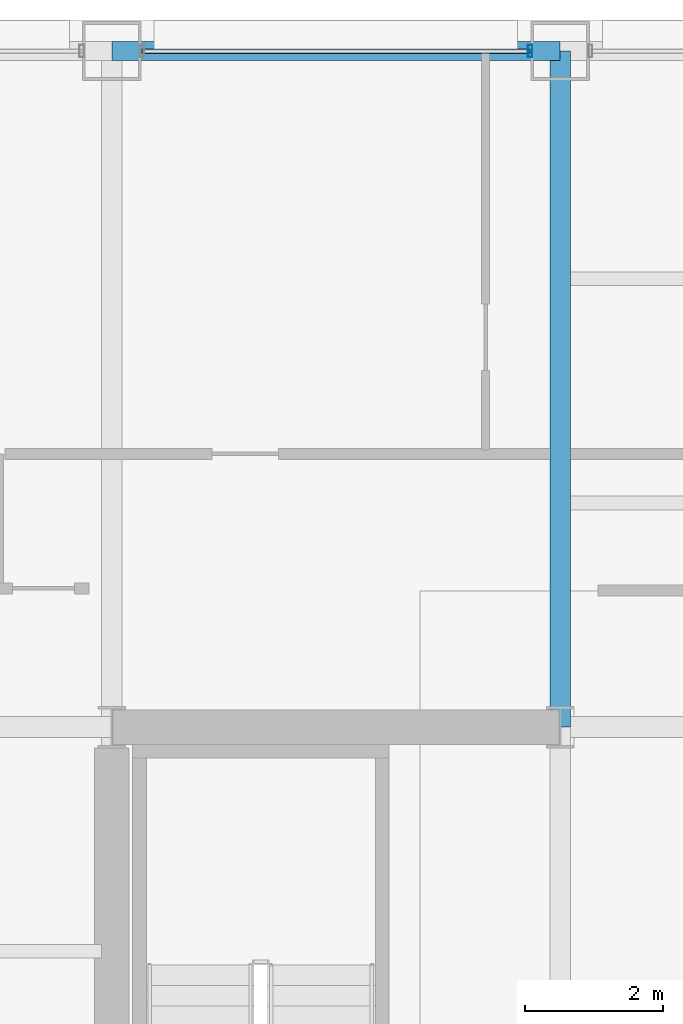
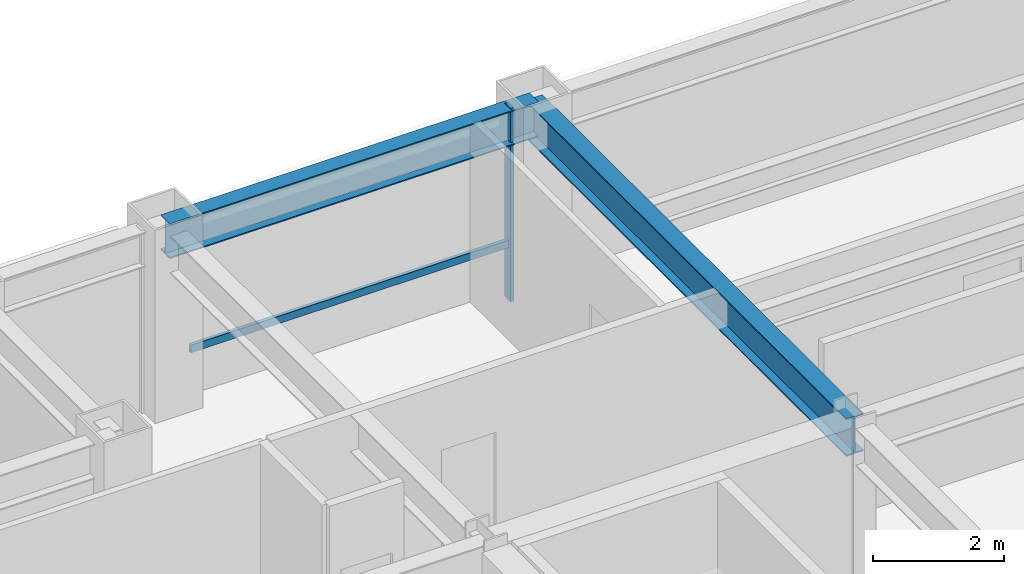
# One storey, part 19 of 31: 2 beams, 2 members, 1 element without a shape of its own.
"""IFC4 building model written with IfcOpenShell, lengths in metres."""

from ifc_helpers import new_model, si_unit, direction, frame, origin, origin_2d, place, context, subcontext, project, spatial, hollow_rectangle, i_section, extrude, material, layer, layer_set, material_profile, profile_set, type_object, element, aggregate, save


model = new_model("IFC4")

# Units and contexts
model_context = context("Model", 3, precision=1e-05, world=origin(), true_north=direction((0.0, 1.0)))
body_context = subcontext(model_context, "Body", "Model", "MODEL_VIEW")
ifc_project = project(units=[si_unit("LENGTHUNIT", "METRE"), si_unit("AREAUNIT", "SQUARE_METRE"), si_unit("VOLUMEUNIT", "CUBIC_METRE"), si_unit("PLANEANGLEUNIT", "RADIAN"), si_unit("MASSUNIT", "GRAM", prefix="KILO")], contexts=[model_context])

# Site, building, storey
site_placement = place(None, origin())
site = spatial("IfcSite", under=ifc_project, at=site_placement, CompositionType="ELEMENT")
building_placement = place(site_placement, origin())
building = spatial("IfcBuilding", under=site, at=building_placement, Name="Brelmoor Portico Tower", CompositionType="ELEMENT")
storey_placement = place(building_placement, frame((0.0, 0.0, 113.39990234375)))
storey = spatial("IfcBuildingStorey", under=building, at=storey_placement, Name="L29", CompositionType="ELEMENT", Elevation=113.39990234375)

# Beams
ifc_material_1 = material(Name="Steel Q355B", Category="steel")
ifc_material_profile_1 = material_profile(ifc_material_1, i_section(OverallWidth=0.300048828125, OverallDepth=0.699951171875, WebThickness=0.012939453125, FlangeThickness=0.02392578125, at=origin_2d()), Name="HN 700x300x13x24")
ifc_profile_set_1 = profile_set([ifc_material_profile_1], Name="Steel Q355B")
beam_type_1 = type_object("IfcBeamType", Name="BM-PG-700", PredefinedType="BEAM", material=ifc_profile_set_1)
beam_1_placement = place(storey_placement, frame((-8.050048828125, 9.75, 3.050048828125), z_axis=(0.0, 1.0, 0.0), x_axis=(-1.0, 0.0, 0.0)))
element("IfcBeam", 1, at=beam_1_placement, inside=storey, type_object=beam_type_1, Name="L29 Primary Floor Girder PG-07", PredefinedType="BEAM", context=body_context, shape_type="SweptSolid", body=[
    extrude(i_section(OverallWidth=0.300048828125, OverallDepth=0.699951171875, WebThickness=0.012939453125, FlangeThickness=0.02392578125, at=origin_2d()), origin(), (0.0, 0.0, 1.0), 9.800048828125),
])
ifc_material_profile_2 = material_profile(ifc_material_1, i_section(OverallWidth=0.280029296875, OverallDepth=0.64990234375, WebThickness=0.012939453125, FlangeThickness=0.02197265625, at=origin_2d()), Name="HN 650x280x13x22")
ifc_profile_set_2 = profile_set([ifc_material_profile_2], Name="Steel Q355B")
beam_type_2 = type_object("IfcBeamType", Name="BM-SP-650", PredefinedType="SPANDREL", material=ifc_profile_set_2)
beam_2_placement = place(storey_placement, frame((-14.550048828125, 19.550048828125, 3.0751953125), z_axis=(1.0, 0.0, 0.0), x_axis=(0.0, 1.0, 0.0)))
element("IfcBeam", 2, at=beam_2_placement, inside=storey, type_object=beam_type_2, Name="L29 Perimeter Spandrel Beam SP-11", PredefinedType="SPANDREL", context=body_context, shape_type="SweptSolid", body=[
    extrude(i_section(OverallWidth=0.280029296875, OverallDepth=0.64990234375, WebThickness=0.012939453125, FlangeThickness=0.02197265625, at=origin_2d()), origin(), (0.0, 0.0, 1.0), 6.5),
])

# Curtain wall, members
ifc_material_2 = material(Name="Anodised Aluminium Alloy 6063-T6", Category="aluminium")
ifc_layer = layer(ifc_material_2, 0.179931640625)
ifc_layer_set = layer_set([ifc_layer], Name="Anodised Aluminium Alloy 6063-T6")
curtain_wall_type = type_object("IfcCurtainWallType", Name="CW-TOWER-Z2", PredefinedType="NOTDEFINED", material=ifc_layer_set)
curtain_wall_placement = place(storey_placement, origin())
curtain_wall = element("IfcCurtainWall", 3, at=curtain_wall_placement, inside=storey, type_object=curtain_wall_type, Name="L29 Curtain Wall CW-L29-02-2", PredefinedType="NOTDEFINED")
ifc_material_profile_3 = material_profile(ifc_material_2, hollow_rectangle(XDim=0.06494140625, YDim=0.179931640625, WallThickness=0.00390625, at=origin_2d()), Name="ALU MULLION 65x180")
ifc_profile_set_3 = profile_set([ifc_material_profile_3], Name="Anodised Aluminium Alloy 6063-T6")
member_type_1 = type_object("IfcMemberType", Name="MB-CW-MULL-180", PredefinedType="MULLION", material=ifc_profile_set_3)
member_1_placement = place(storey_placement, frame((-8.485107421875, 19.550048828125, -0.199951171875), z_axis=(0.0, 0.0, 1.0), x_axis=(1.0, 0.0, 0.0)))
member_1 = element("IfcMember", 4, at=member_1_placement, type_object=member_type_1, Name="CW-L29-02-2 Mullion 01", PredefinedType="MULLION", context=body_context, shape_type="SweptSolid", body=[
    extrude(hollow_rectangle(XDim=0.06494140625, YDim=0.179931640625, WallThickness=0.00390625, at=origin_2d()), origin(), (0.0, 0.0, 1.0), 3.60009765625),
])
ifc_material_profile_4 = material_profile(ifc_material_2, hollow_rectangle(XDim=0.06494140625, YDim=0.139892578125, WallThickness=0.00390625, at=origin_2d()), Name="ALU TRANSOM 65x140")
ifc_profile_set_4 = profile_set([ifc_material_profile_4], Name="Anodised Aluminium Alloy 6063-T6")
member_type_2 = type_object("IfcMemberType", Name="MB-CW-TRAN-140", PredefinedType="USERDEFINED", material=ifc_profile_set_4)
member_2_placement = place(storey_placement, frame((-14.114990234375, 19.550048828125, 0.85009765625), z_axis=(1.0, 0.0, 0.0), x_axis=(0.0, 1.0, 0.0)))
member_2 = element("IfcMember", 5, at=member_2_placement, type_object=member_type_2, Name="CW-L29-02-2 Transom 1-00", ObjectType="TRANSOM", PredefinedType="USERDEFINED", context=body_context, shape_type="SweptSolid", body=[
    extrude(hollow_rectangle(XDim=0.06494140625, YDim=0.139892578125, WallThickness=0.00390625, at=origin_2d()), origin(), (0.0, 0.0, 1.0), 5.6298828125),
])
aggregate(curtain_wall, [member_1, member_2])

save(model, "model.ifc")
